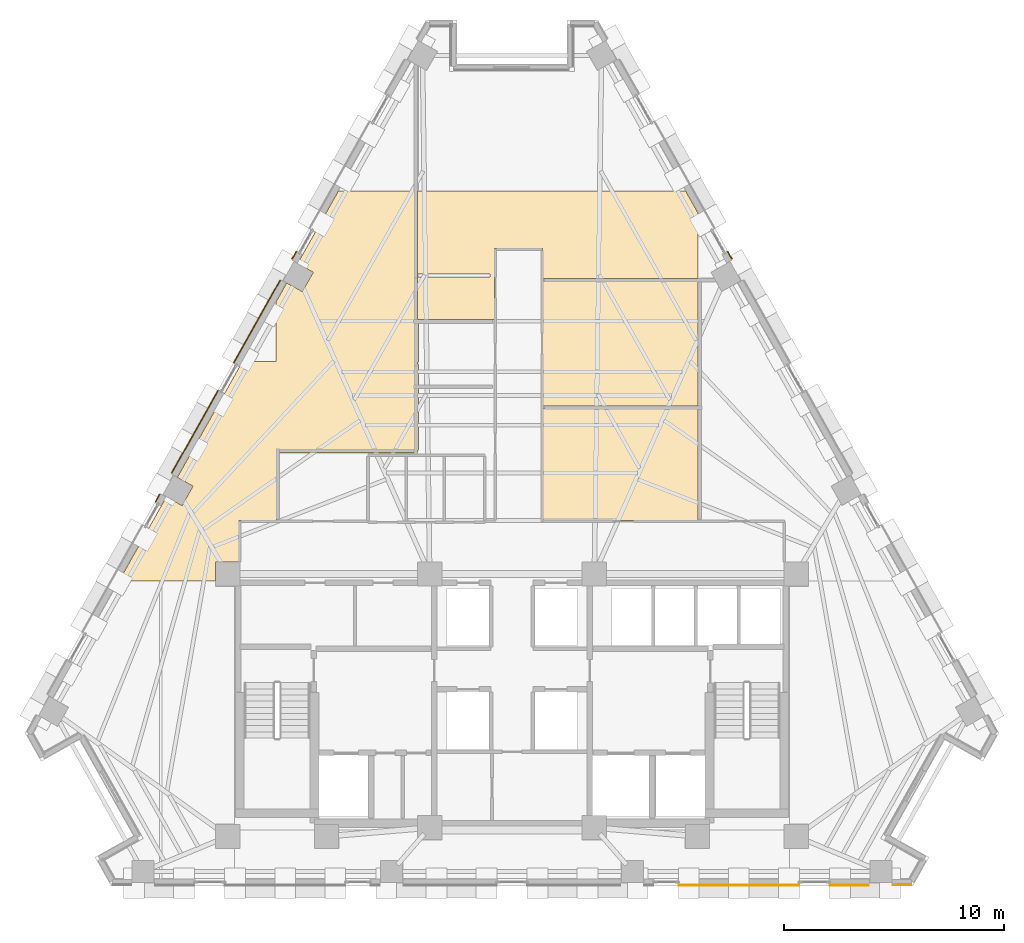
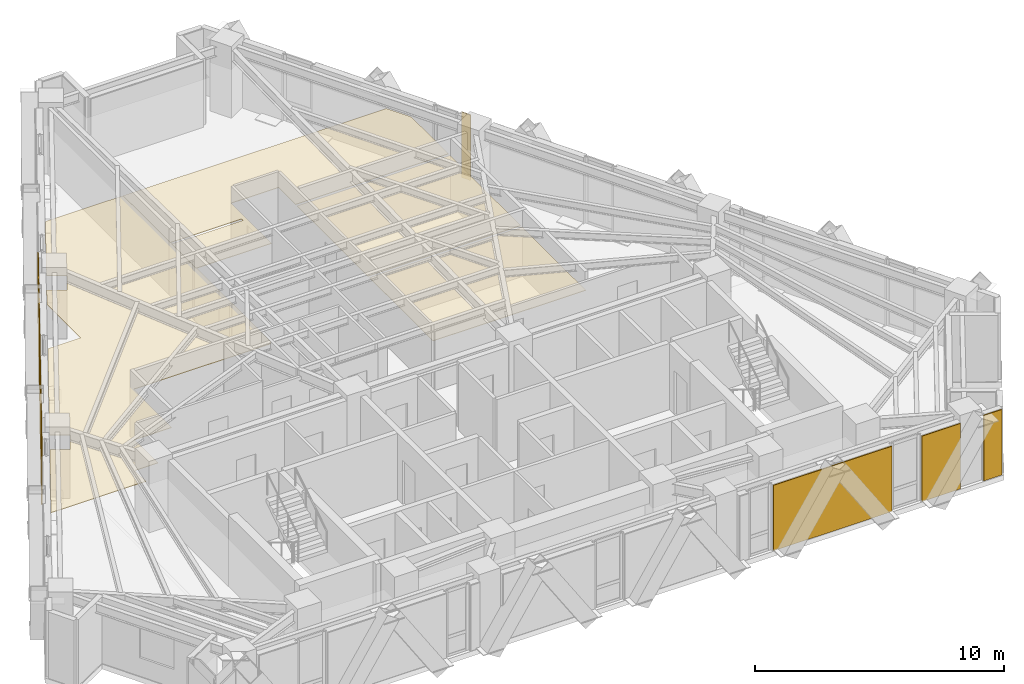
# One storey, part 11 of 13: 12 coverings.
"""IFC4 building model written with IfcOpenShell, lengths in metres."""

from ifc_helpers import new_model, si_unit, direction, frame, origin, place, context, subcontext, project, spatial, polyline, outline, extrude, material, layer, layer_set, type_object, element, save


model = new_model("IFC4")

# Units and contexts
model_context = context("Model", 3, precision=1e-05, world=origin(), true_north=direction((0.0, 1.0)))
body_context = subcontext(model_context, "Body", "Model", "MODEL_VIEW")
ifc_project = project(units=[si_unit("LENGTHUNIT", "METRE"), si_unit("AREAUNIT", "SQUARE_METRE"), si_unit("VOLUMEUNIT", "CUBIC_METRE"), si_unit("PLANEANGLEUNIT", "RADIAN"), si_unit("MASSUNIT", "GRAM", prefix="KILO")], contexts=[model_context])

# Site, building, storey
site_placement = place(None, origin())
site = spatial("IfcSite", under=ifc_project, at=site_placement, CompositionType="ELEMENT")
building_placement = place(site_placement, origin())
building = spatial("IfcBuilding", under=site, at=building_placement, Name="Quenlor Broadcast Tower", CompositionType="ELEMENT")
storey_placement = place(building_placement, frame((0.0, 0.0, 147.5)))
storey = spatial("IfcBuildingStorey", under=building, at=storey_placement, Name="L40", CompositionType="ELEMENT", Elevation=147.5)

# Coverings
ifc_material_1 = material(Name="Acoustic Mineral Fibre Board", Category="other")
ifc_layer_1 = layer(ifc_material_1, 0.02490234375)
ifc_layer_set_1 = layer_set([ifc_layer_1], Name="Acoustic Perforated Mineral Tile Ceiling 25")
covering_type_1 = type_object("IfcCoveringType", Name="Acoustic Perforated Mineral Tile Ceiling 25", PredefinedType="CEILING", material=ifc_layer_set_1)
covering_1_placement = place(storey_placement, frame((0.0, 0.0, 2.375)))
element("IfcCovering", 1, at=covering_1_placement, inside=storey, type_object=covering_type_1, Name="L40 Acoustic Ceiling L40-29", PredefinedType="CEILING", context=body_context, shape_type="SweptSolid", body=[
    extrude(outline(polyline([(8.47998046875, 11.630859375), (8.47998046875, 8.659912109375), (1.39990234375, 8.659912109375), (1.39990234375, 10.030029296875), (-0.800048828125, 10.030029296875), (-0.800048828125, 6.785400390625), (-4.300048828125, 6.785400390625), (-4.300048828125, 8.739990234375), (-1.0, 8.739990234375), (-1.0, 8.860107421875), (-4.300048828125, 8.860107421875), (-4.300048828125, 12.64990234375), (7.90673828125, 12.64990234375), (8.47998046875, 11.630859375)])), origin(), (0.0, 0.0, 1.0), 0.02490234375),
])
covering_2_placement = place(storey_placement, frame((0.0, 0.0, 2.375)))
element("IfcCovering", 2, at=covering_2_placement, inside=storey, type_object=covering_type_1, Name="L40 Acoustic Ceiling L40-30", PredefinedType="CEILING", context=body_context, shape_type="SweptSolid", body=[
    extrude(outline(polyline([(1.39990234375, 2.860107421875), (1.39990234375, 8.5400390625), (8.47998046875, 8.5400390625), (8.47998046875, 2.860107421875), (1.39990234375, 2.860107421875)])), origin(), (0.0, 0.0, 1.0), 0.02490234375),
])
covering_3_placement = place(storey_placement, frame((0.0, 0.0, 2.375)))
element("IfcCovering", 3, at=covering_3_placement, inside=storey, type_object=covering_type_1, Name="L40 Acoustic Ceiling L40-33", PredefinedType="CEILING", context=body_context, shape_type="SweptSolid", body=[
    extrude(outline(polyline([(8.47998046875, -2.3701171875), (1.39990234375, -2.3701171875), (1.39990234375, 2.739990234375), (8.47998046875, 2.739990234375), (8.47998046875, -2.3701171875)])), origin(), (0.0, 0.0, 1.0), 0.02490234375),
])
covering_4_placement = place(storey_placement, frame((0.0, 0.0, 2.375)))
element("IfcCovering", 4, at=covering_4_placement, inside=storey, type_object=covering_type_1, Name="L40 Acoustic Ceiling L40-35", PredefinedType="CEILING", context=body_context, shape_type="SweptSolid", body=[
    extrude(outline(polyline([(-4.281494140625, 8.802490234375), (-4.276611328125, 8.783447265625), (-4.270751953125, 8.754638671875), (-4.27001953125, 4.860107421875), (-4.27294921875, 4.830810546875), (-4.281494140625, 4.802490234375), (-4.276611328125, 4.783447265625), (-4.270751953125, 4.754638671875), (-4.27001953125, 0.860107421875), (-4.27294921875, 0.830810546875), (-4.281494140625, 0.802490234375), (-4.29541015625, 0.776611328125), (-4.31396484375, 0.75390625), (-4.336669921875, 0.7353515625), (-4.362548828125, 0.721435546875), (-4.390625, 0.712890625), (-4.419921875, 0.7099609375), (-10.60009765625, 0.7099609375), (-10.62939453125, 0.712890625), (-10.657470703125, 0.721435546875), (-10.676513671875, 0.716552734375), (-10.705322265625, 0.710693359375), (-10.719970703125, -2.3701171875), (-12.43994140625, -2.3701171875), (-12.43994140625, -4.241943359375), (-13.508056640625, -4.241943359375), (-13.508056640625, -5.1201171875), (-15.93994140625, -5.1201171875), (-16.06005859375, -5.1201171875), (-17.90234375, -5.1201171875), (-15.7431640625, -1.281494140625), (-15.0302734375, -1.6826171875), (-14.5322265625, -0.797119140625), (-15.2451171875, -0.39599609375), (-12.271728515625, 4.889892578125), (-10.75, 4.889892578125), (-10.75, 7.595458984375), (-10.26220703125, 8.46240234375), (-9.54931640625, 8.0615234375), (-9.05126953125, 8.947021484375), (-9.76416015625, 9.347900390625), (-7.90673828125, 12.64990234375), (-4.27001953125, 12.64990234375), (-4.27001953125, 8.860107421875), (-4.27294921875, 8.830810546875), (-4.281494140625, 8.802490234375)])), origin(), (0.0, 0.0, 1.0), 0.02490234375),
])
ifc_material_2 = material(Name="Architectural Terracotta Ceramic", Category="masonry")
ifc_layer_2 = layer(ifc_material_2, 0.044921875)
ifc_layer_set_2 = layer_set([ifc_layer_2], Name="Fluted Terracotta Rainscreen Cladding Panel")
covering_type_2 = type_object("IfcCoveringType", Name="Fluted Terracotta Rainscreen Cladding Panel", PredefinedType="CLADDING", material=ifc_layer_set_2)
covering_5_placement = place(storey_placement, frame((0.0, 0.0, 0.02001953125)))
element("IfcCovering", 5, at=covering_5_placement, inside=storey, type_object=covering_type_2, Name="L40 Terracotta Rainscreen Cladding L40-SHD-SS0", PredefinedType="CLADDING", context=body_context, shape_type="SweptSolid", body=[
    extrude(outline(polyline([(18.179931640625, -18.93701171875), (17.343505859375, -18.93701171875), (17.343505859375, -18.98193359375), (18.179931640625, -18.98193359375), (18.179931640625, -18.93701171875)])), origin(), (0.0, 0.0, 1.0), 3.2099609375),
])
covering_6_placement = place(storey_placement, frame((0.0, 0.0, 0.02001953125)))
element("IfcCovering", 6, at=covering_6_placement, inside=storey, type_object=covering_type_2, Name="L40 Terracotta Rainscreen Cladding L40-SA-SP1", PredefinedType="CLADDING", context=body_context, shape_type="SweptSolid", body=[
    extrude(outline(polyline([(16.25341796875, -18.95703125), (14.47509765625, -18.95703125), (14.47509765625, -19.001953125), (16.25341796875, -19.001953125), (16.25341796875, -18.95703125)])), origin(), (0.0, 0.0, 1.0), 3.2099609375),
])
covering_7_placement = place(storey_placement, frame((0.0, 0.0, 0.02001953125)))
element("IfcCovering", 7, at=covering_7_placement, inside=storey, type_object=covering_type_2, Name="L40 Terracotta Rainscreen Cladding L40-SA-SP2", PredefinedType="CLADDING", context=body_context, shape_type="SweptSolid", body=[
    extrude(outline(polyline([(13.076904296875, -18.95703125), (7.5869140625, -18.95703125), (7.5869140625, -19.001953125), (13.076904296875, -19.001953125), (13.076904296875, -18.95703125)])), origin(), (0.0, 0.0, 1.0), 3.2099609375),
])
covering_8_placement = place(storey_placement, frame((0.0, 0.0, 0.02001953125)))
element("IfcCovering", 8, at=covering_8_placement, inside=storey, type_object=covering_type_2, Name="L40 Terracotta Rainscreen Cladding L40-NEA-SP3", PredefinedType="CLADDING", context=body_context, shape_type="SweptSolid", body=[
    extrude(outline(polyline([(9.803955078125, 9.88330078125), (10.0, 9.53466796875), (10.039306640625, 9.556640625), (9.843017578125, 9.9052734375), (9.803955078125, 9.88330078125)])), origin(), (0.0, 0.0, 1.0), 3.2099609375),
])
covering_9_placement = place(storey_placement, frame((0.0, 0.0, 0.02001953125)))
element("IfcCovering", 9, at=covering_9_placement, inside=storey, type_object=covering_type_2, Name="L40 Terracotta Rainscreen Cladding L40-NWA-SP3", PredefinedType="CLADDING", context=body_context, shape_type="SweptSolid", body=[
    extrude(outline(polyline([(-16.22119140625, -1.525390625), (-16.025146484375, -1.1767578125), (-16.064453125, -1.15478515625), (-16.260498046875, -1.50341796875), (-16.22119140625, -1.525390625)])), origin(), (0.0, 0.0, 1.0), 3.2099609375),
])
covering_10_placement = place(storey_placement, frame((0.0, 0.0, 0.02001953125)))
element("IfcCovering", 10, at=covering_10_placement, inside=storey, type_object=covering_type_2, Name="L40 Terracotta Rainscreen Cladding L40-NWC-SP1", PredefinedType="CLADDING", context=body_context, shape_type="SweptSolid", body=[
    extrude(outline(polyline([(-10.0, 9.53466796875), (-9.803955078125, 9.88330078125), (-9.843017578125, 9.9052734375), (-10.039306640625, 9.556640625), (-10.0, 9.53466796875)])), origin(), (0.0, 0.0, 1.0), 3.2099609375),
])
covering_11_placement = place(storey_placement, frame((0.0, 0.0, 0.02001953125)))
element("IfcCovering", 11, at=covering_11_placement, inside=storey, type_object=covering_type_2, Name="L40 Terracotta Rainscreen Cladding L40-NW-SP1", PredefinedType="CLADDING", context=body_context, shape_type="SweptSolid", body=[
    extrude(outline(polyline([(-15.4833984375, -0.213623046875), (-13.367919921875, 3.547119140625), (-13.4072265625, 3.569091796875), (-15.522705078125, -0.191650390625), (-15.4833984375, -0.213623046875)])), origin(), (0.0, 0.0, 1.0), 3.2099609375),
])
covering_12_placement = place(storey_placement, frame((0.0, 0.0, 0.02001953125)))
element("IfcCovering", 12, at=covering_12_placement, inside=storey, type_object=covering_type_2, Name="L40 Terracotta Rainscreen Cladding L40-NW-SP2", PredefinedType="CLADDING", context=body_context, shape_type="SweptSolid", body=[
    extrude(outline(polyline([(-12.656982421875, 4.810791015625), (-10.541748046875, 8.571533203125), (-10.580810546875, 8.593505859375), (-12.6962890625, 4.832763671875), (-12.656982421875, 4.810791015625)])), origin(), (0.0, 0.0, 1.0), 3.2099609375),
])

save(model, "model.ifc")
